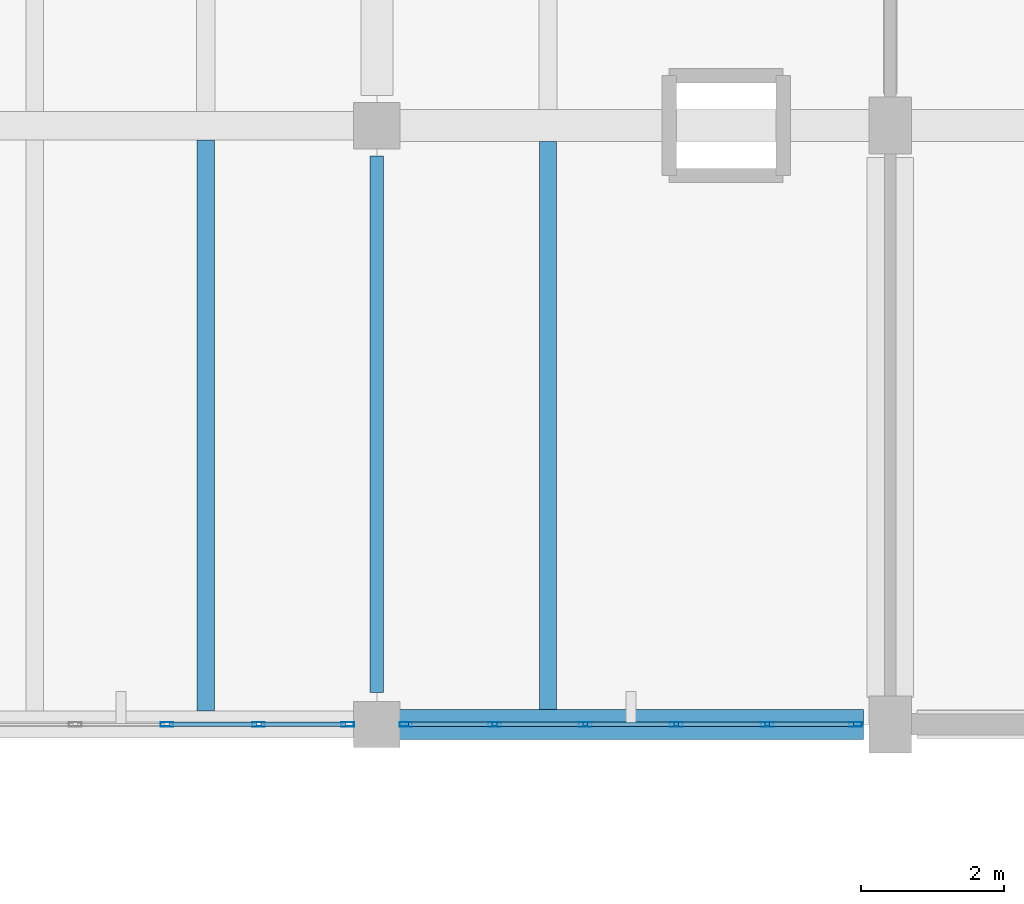
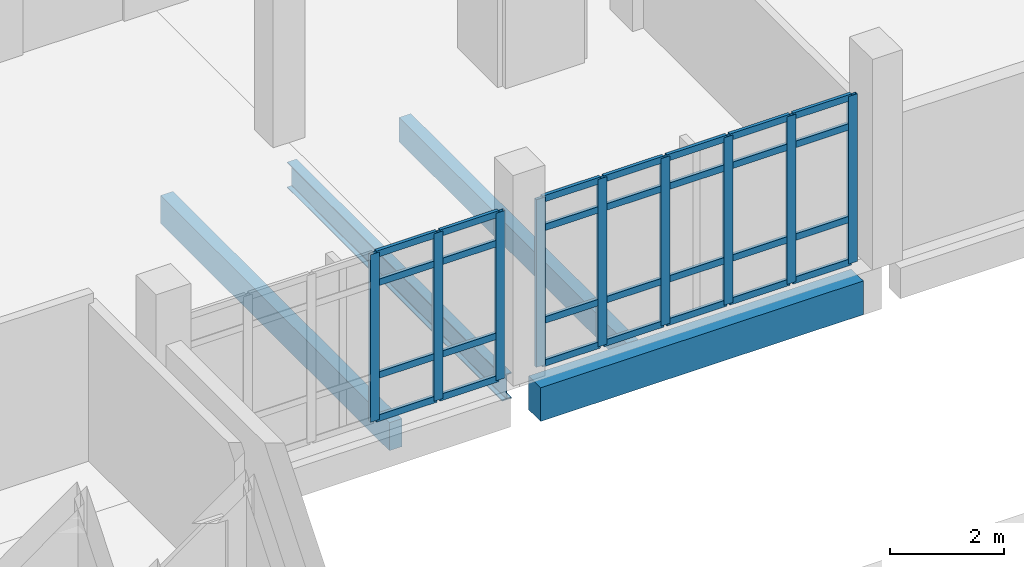
# One storey, part 42 of 87: 37 members, 4 beams, 2 elements without a shape of their own.
"""IFC4 building model written with IfcOpenShell, lengths in metres."""

import ifcopenshell
import ifcopenshell.guid

model = None  # the IFC model being written
_history = None  # IfcOwnerHistory: only IFC2X3 demands one
_inside = {}  # id of a spatial element -> (the spatial element, [elements in it])
_under = {}  # id of a project, library or spatial element -> (it, [spatial elements below it])
_declared = {}  # id of a project -> (the project, [libraries it declares])
_typed = {}  # id of a type object -> (the type object, [elements of that type])
_made_of = {}  # id of a material, layer set ... -> (it, [elements and type objects made of it])


def new_model(schema):
    """Start an empty IFC model of exactly this schema.

    Asked for "IFC4X3", IfcOpenShell would pick the latest addendum, in which some entities
    have other attributes; the version numbers below select the first issue.
    IFC2X3 requires an IfcOwnerHistory on every rooted entity: one is made here for all.
    """
    global model, _history
    if schema == "IFC4X3":
        model = ifcopenshell.file(schema_version=(4, 3, 0, 0))
    else:
        model = ifcopenshell.file(schema=schema)
    _inside.clear()
    _under.clear()
    _declared.clear()
    _typed.clear()
    _made_of.clear()
    _history = None
    if model.schema == "IFC2X3":
        org = make("IfcOrganization", Name="unknown")
        user = make(
            "IfcPersonAndOrganization",
            ThePerson=make("IfcPerson", FamilyName="unknown"),
            TheOrganization=org,
        )
        app = make(
            "IfcApplication",
            ApplicationDeveloper=org,
            Version="unknown",
            ApplicationFullName="unknown",
            ApplicationIdentifier="unknown",
        )
        _history = make(
            "IfcOwnerHistory",
            OwningUser=user,
            OwningApplication=app,
            ChangeAction="ADDED",
            CreationDate=0,
        )
    return model


def make(cls, **values):
    """One entity of the class cls with the attributes given. An attribute that is None is left unset."""
    return model.create_entity(
        cls, **{name: value for name, value in values.items() if value is not None}
    )


def rooted(cls, **values):
    """An entity with a GlobalId (a new one), such as an element, a storey or a relation."""
    return make(cls, GlobalId=ifcopenshell.guid.new(), OwnerHistory=_history, **values)


def si_unit(unit_type, name, prefix=None):
    """IfcSIUnit, for example si_unit("LENGTHUNIT", "METRE", prefix="MILLI")."""
    return make("IfcSIUnit", UnitType=unit_type, Prefix=prefix, Name=name)


def assignment(units):
    """IfcUnitAssignment: the units of a project."""
    return None if units is None else make("IfcUnitAssignment", Units=units)


def point(xyz):
    """IfcCartesianPoint."""
    return None if xyz is None else make("IfcCartesianPoint", Coordinates=xyz)


def direction(xyz):
    """IfcDirection."""
    return None if xyz is None else make("IfcDirection", DirectionRatios=xyz)


def frame(location, z_axis=None, x_axis=None):
    """IfcAxis2Placement3D, a coordinate frame: its origin and axes. An axis left out is left unset."""
    return make(
        "IfcAxis2Placement3D",
        Location=point(location),
        Axis=direction(z_axis),
        RefDirection=direction(x_axis),
    )


def frame_2d(location, x_axis=None):
    """IfcAxis2Placement2D, a coordinate frame in the plane: its origin and x axis."""
    return make(
        "IfcAxis2Placement2D", Location=point(location), RefDirection=direction(x_axis)
    )


def origin():
    """The frame at (0, 0, 0) with its axes left unset."""
    return frame((0.0, 0.0, 0.0))


def origin_2d():
    """The frame at (0, 0) in the plane with its x axis left unset."""
    return frame_2d((0.0, 0.0))


def place(relative_to, where):
    """IfcLocalPlacement: puts the frame where relative to a parent placement (None: the world)."""
    return make(
        "IfcLocalPlacement", PlacementRelTo=relative_to, RelativePlacement=where
    )


def context(
    kind, dimensions, precision=None, world=None, true_north=None, identifier=None
):
    """IfcGeometricRepresentationContext, for example the 3D "Model" context."""
    return make(
        "IfcGeometricRepresentationContext",
        ContextIdentifier=identifier,
        ContextType=kind,
        CoordinateSpaceDimension=dimensions,
        Precision=precision,
        WorldCoordinateSystem=world,
        TrueNorth=true_north,
    )


def subcontext(parent, identifier, kind, view, scale=None):
    """IfcGeometricRepresentationSubContext, for example "Body" below "Model"."""
    return make(
        "IfcGeometricRepresentationSubContext",
        ContextIdentifier=identifier,
        ContextType=kind,
        ParentContext=parent,
        TargetScale=scale,
        TargetView=view,
    )


def project(units=None, contexts=None):
    """IfcProject with its units and contexts."""
    return rooted(
        "IfcProject",
        Name="project",
        RepresentationContexts=contexts,
        UnitsInContext=assignment(units),
    )


def spatial(cls, under=None, at=None, **own):
    """A site, building, storey or space (cls), placed at a placement, below another one or the project."""
    s = rooted(cls, ObjectPlacement=at, **own)
    if under is not None:
        _under.setdefault(under.id(), (under, []))[1].append(s)
    return s


def profile(cls, at=None, kind="AREA", **sizes):
    """A parametric profile (cls). Its sizes go by their IFC names, for example OverallWidth=200.0."""
    return make(cls, ProfileType=kind, Position=at, **sizes)


def rectangle(**sizes):
    """IfcRectangleProfileDef."""
    return profile("IfcRectangleProfileDef", **sizes)


def hollow_rectangle(**sizes):
    """IfcRectangleHollowProfileDef."""
    return profile("IfcRectangleHollowProfileDef", **sizes)


def i_section(**sizes):
    """IfcIShapeProfileDef."""
    return profile("IfcIShapeProfileDef", **sizes)


def extrude(swept, where, along, depth):
    """IfcExtrudedAreaSolid: the profile swept, set in the frame where, extruded along a direction by depth."""
    return make(
        "IfcExtrudedAreaSolid",
        SweptArea=swept,
        Position=where,
        ExtrudedDirection=direction(along),
        Depth=depth,
    )


def shape(context_of_items, identifier, shape_type, items):
    """IfcShapeRepresentation: the items that make up one representation, for example the "Body"."""
    return make(
        "IfcShapeRepresentation",
        ContextOfItems=context_of_items,
        RepresentationIdentifier=identifier,
        RepresentationType=shape_type,
        Items=items,
    )


def material(Name=None, Category=None):
    """IfcMaterial."""
    return make("IfcMaterial", Name=Name, Category=Category)


def material_profile(
    of_material, cross_section, Name=None, Category=None, Priority=None
):
    """IfcMaterialProfile: a cross section and its material."""
    return make(
        "IfcMaterialProfile",
        Name=Name,
        Material=of_material,
        Profile=cross_section,
        Priority=Priority,
        Category=Category,
    )


def profile_set(profiles, Name=None, composite=None):
    """IfcMaterialProfileSet."""
    return make(
        "IfcMaterialProfileSet",
        Name=Name,
        MaterialProfiles=profiles,
        CompositeProfile=composite,
    )


def made_of(thing, what):
    """Note that an element or type object is made of a material, layer set ...; save() writes the relation."""
    if what is not None:
        _made_of.setdefault(what.id(), (what, []))[1].append(thing)
    return thing


def type_object(cls, material=None, **own):
    """A type object (cls), such as IfcWallType, which elements share."""
    return made_of(rooted(cls, **own), material)


def element(
    cls,
    number,
    at=None,
    inside=None,
    cuts=None,
    type_object=None,
    material=None,
    context=None,
    identifier="Body",
    shape_type=None,
    held_by="IfcProductDefinitionShape",
    body=None,
    shapes=None,
    **own,
):
    """One element of the class cls, such as IfcWall. Its Tag is "e" and its number.

    at: its placement. inside: the storey or other place that contains it. cuts: it is an
    opening in that element (IfcRelVoidsElement). A single representation is given by context,
    identifier, shape_type and body (its items); several are given by shapes. held_by: the class
    of the entity that holds the representations. save() writes the other relations.
    """
    e = rooted(cls, Tag="e%d" % number, ObjectPlacement=at, **own)
    if body is not None:
        shapes = [shape(context, identifier, shape_type, body)]
    if shapes is not None:
        e.Representation = make(held_by, Representations=shapes)
    if inside is not None:
        _inside.setdefault(inside.id(), (inside, []))[1].append(e)
    if cuts is not None:
        rooted(
            "IfcRelVoidsElement", RelatingBuildingElement=cuts, RelatedOpeningElement=e
        )
    if type_object is not None:
        _typed.setdefault(type_object.id(), (type_object, []))[1].append(e)
    return made_of(e, material)


def aggregate(whole, parts):
    """IfcRelAggregates: a whole, such as a stair, and the parts it consists of."""
    return rooted("IfcRelAggregates", RelatingObject=whole, RelatedObjects=parts)


def save(model, path):
    """Write the relations noted so far, then the file.

    IfcRelAggregates (storeys below a building ...), IfcRelContainedInSpatialStructure (elements
    in a storey), IfcRelDefinesByType, IfcRelAssociatesMaterial and IfcRelDeclares: one each for
    every whole, place, type object, material and project.
    """
    for whole, parts in _under.values():
        aggregate(whole, parts)
    for where, things in _inside.values():
        rooted(
            "IfcRelContainedInSpatialStructure",
            RelatedElements=things,
            RelatingStructure=where,
        )
    for kind, things in _typed.values():
        rooted("IfcRelDefinesByType", RelatedObjects=things, RelatingType=kind)
    for what, things in _made_of.values():
        rooted("IfcRelAssociatesMaterial", RelatedObjects=things, RelatingMaterial=what)
    for by, libraries in _declared.values():
        rooted("IfcRelDeclares", RelatingContext=by, RelatedDefinitions=libraries)
    model.write(path)


model = new_model("IFC4")

# Units and contexts
model_context = context("Model", 3, precision=1e-05, world=origin(), true_north=direction((0.0, 1.0)))
body_context = subcontext(model_context, "Body", "Model", "MODEL_VIEW")
ifc_project = project(units=[si_unit("LENGTHUNIT", "METRE"), si_unit("AREAUNIT", "SQUARE_METRE"), si_unit("VOLUMEUNIT", "CUBIC_METRE"), si_unit("PLANEANGLEUNIT", "RADIAN"), si_unit("MASSUNIT", "GRAM", prefix="KILO")], contexts=[model_context])

# Site, building, storey
site_placement = place(None, origin())
site = spatial("IfcSite", under=ifc_project, at=site_placement, CompositionType="ELEMENT")
building_placement = place(site_placement, origin())
building = spatial("IfcBuilding", under=site, at=building_placement, Name="Kalluvel Institute of Natural Sciences", CompositionType="ELEMENT")
storey_placement = place(building_placement, frame((0.0, 0.0, 18.89990234375)))
storey = spatial("IfcBuildingStorey", under=building, at=storey_placement, Name="L04", CompositionType="ELEMENT", Elevation=18.89990234375)

# Beams
ifc_material_1 = material(Name="Steel E350 Grade 350", Category="steel")
ifc_material_profile_1 = material_profile(ifc_material_1, i_section(OverallWidth=0.18994140625, OverallDepth=0.550048828125, WebThickness=0.01123046875, FlangeThickness=0.019287109375, FilletRadius=0.01806640625, at=origin_2d()), Name="ISMB 550")
ifc_profile_set_1 = profile_set([ifc_material_profile_1], Name="Steel E350 Grade 350")
beam_type_1 = type_object("IfcBeamType", Name="BM-ISMB550", PredefinedType="BEAM", material=ifc_profile_set_1)
beam_1_placement = place(storey_placement, frame((64.39990234375, 103.25, -0.594970703125), z_axis=(0.0, 1.0, 0.0), x_axis=(-1.0, 0.0, 0.0)))
element("IfcBeam", 1, at=beam_1_placement, inside=storey, type_object=beam_type_1, Name="L04 girder GIR-L04-NS-X644-Y1028", PredefinedType="BEAM", context=body_context, shape_type="SweptSolid", body=[
    extrude(i_section(OverallWidth=0.18994140625, OverallDepth=0.550048828125, WebThickness=0.01123046875, FlangeThickness=0.019287109375, FilletRadius=0.01806640625, at=origin_2d()), origin(), (0.0, 0.0, 1.0), 7.52490234375),
])
ifc_material_2 = material(Name="Concrete M40", Category="concrete")
ifc_material_profile_2 = material_profile(ifc_material_2, rectangle(XDim=0.419921875, YDim=0.719970703125, at=origin_2d()), Name="RCB 420x720")
ifc_profile_set_2 = profile_set([ifc_material_profile_2], Name="Concrete M40")
beam_type_2 = type_object("IfcBeamType", Name="BM-RC420x720", PredefinedType="BEAM", material=ifc_profile_set_2)
beam_2_placement = place(storey_placement, frame((64.699951171875, 102.800048828125, -0.679931640625), z_axis=(1.0, 0.0, 0.0), x_axis=(0.0, 1.0, 0.0)))
element("IfcBeam", 2, at=beam_2_placement, inside=storey, type_object=beam_type_2, Name="L04 girder GIR-L04-EW-X644-Y1028", PredefinedType="BEAM", context=body_context, shape_type="SweptSolid", body=[
    extrude(rectangle(XDim=0.419921875, YDim=0.719970703125, at=origin_2d()), origin(), (0.0, 0.0, 1.0), 6.525146484375),
])

# Curtain wall, members
ifc_material_3 = material(Name="Aluminium AW-6063 T6", Category="aluminium")
curtain_wall_type = type_object("IfcCurtainWallType", Name="CW-WET-45", PredefinedType="USERDEFINED", material=ifc_material_3)
curtain_wall_1_placement = place(storey_placement, origin())
curtain_wall_1 = element("IfcCurtainWall", 3, at=curtain_wall_1_placement, inside=storey, type_object=curtain_wall_type, Name="L04 Gothic lancet curtain wall CWA-L04-X576-Y1028", ObjectType="UNITISED LANCET FACADE", PredefinedType="USERDEFINED")
ifc_material_profile_3 = material_profile(ifc_material_3, hollow_rectangle(XDim=0.06494140625, YDim=0.179931640625, WallThickness=0.00439453125, at=origin_2d()), Name="CWM 65x180")
ifc_profile_set_3 = profile_set([ifc_material_profile_3], Name="Aluminium AW-6063 T6")
member_type_1 = type_object("IfcMemberType", Name="CWM-65x180", PredefinedType="MULLION", material=ifc_profile_set_3)
member_1_placement = place(storey_placement, frame((61.455078125, 102.800048828125, 0.0), z_axis=(0.0, 0.0, 1.0), x_axis=(0.0, 1.0, 0.0)))
member_1 = element("IfcMember", 4, at=member_1_placement, type_object=member_type_1, Name="CW-01 mullion 4", PredefinedType="MULLION", context=body_context, shape_type="SweptSolid", body=[
    extrude(hollow_rectangle(XDim=0.06494140625, YDim=0.179931640625, WallThickness=0.00439453125, at=origin_2d()), origin(), (0.0, 0.0, 1.0), 3.580078125),
])
member_2_placement = place(storey_placement, frame((62.739990234375, 102.800048828125, 0.0), z_axis=(0.0, 0.0, 1.0), x_axis=(0.0, 1.0, 0.0)))
member_2 = element("IfcMember", 5, at=member_2_placement, type_object=member_type_1, Name="CW-01 mullion 5", PredefinedType="MULLION", context=body_context, shape_type="SweptSolid", body=[
    extrude(hollow_rectangle(XDim=0.06494140625, YDim=0.179931640625, WallThickness=0.00439453125, at=origin_2d()), origin(), (0.0, 0.0, 1.0), 3.580078125),
])
member_3_placement = place(storey_placement, frame((63.992431640625, 102.800048828125, 0.0), z_axis=(0.0, 0.0, 1.0), x_axis=(0.0, 1.0, 0.0)))
member_3 = element("IfcMember", 6, at=member_3_placement, type_object=member_type_1, Name="CW-01 mullion 6", PredefinedType="MULLION", context=body_context, shape_type="SweptSolid", body=[
    extrude(hollow_rectangle(XDim=0.06494140625, YDim=0.179931640625, WallThickness=0.00439453125, at=origin_2d()), origin(), (0.0, 0.0, 1.0), 3.580078125),
])

curtain_wall_2_placement = place(storey_placement, origin())
curtain_wall_2 = element("IfcCurtainWall", 7, at=curtain_wall_2_placement, inside=storey, type_object=curtain_wall_type, Name="L04 Gothic lancet curtain wall CWA-L04-X648-Y1028", ObjectType="UNITISED LANCET FACADE", PredefinedType="USERDEFINED")
member_4_placement = place(storey_placement, frame((64.8076171875, 102.800048828125, 0.0), z_axis=(0.0, 0.0, 1.0), x_axis=(0.0, 1.0, 0.0)))
member_4 = element("IfcMember", 8, at=member_4_placement, type_object=member_type_1, Name="CW-01 mullion 1", PredefinedType="MULLION", context=body_context, shape_type="SweptSolid", body=[
    extrude(hollow_rectangle(XDim=0.06494140625, YDim=0.179931640625, WallThickness=0.00439453125, at=origin_2d()), origin(), (0.0, 0.0, 1.0), 3.580078125),
])
member_5_placement = place(storey_placement, frame((66.050048828125, 102.800048828125, 0.0), z_axis=(0.0, 0.0, 1.0), x_axis=(0.0, 1.0, 0.0)))
member_5 = element("IfcMember", 9, at=member_5_placement, type_object=member_type_1, Name="CW-01 mullion 2", PredefinedType="MULLION", context=body_context, shape_type="SweptSolid", body=[
    extrude(hollow_rectangle(XDim=0.06494140625, YDim=0.179931640625, WallThickness=0.00439453125, at=origin_2d()), origin(), (0.0, 0.0, 1.0), 3.580078125),
])
member_6_placement = place(storey_placement, frame((67.324951171875, 102.800048828125, 0.0), z_axis=(0.0, 0.0, 1.0), x_axis=(0.0, 1.0, 0.0)))
member_6 = element("IfcMember", 10, at=member_6_placement, type_object=member_type_1, Name="CW-01 mullion 3", PredefinedType="MULLION", context=body_context, shape_type="SweptSolid", body=[
    extrude(hollow_rectangle(XDim=0.06494140625, YDim=0.179931640625, WallThickness=0.00439453125, at=origin_2d()), origin(), (0.0, 0.0, 1.0), 3.580078125),
])
member_7_placement = place(storey_placement, frame((68.60009765625, 102.800048828125, 0.0), z_axis=(0.0, 0.0, 1.0), x_axis=(0.0, 1.0, 0.0)))
member_7 = element("IfcMember", 11, at=member_7_placement, type_object=member_type_1, Name="CW-01 mullion 4", PredefinedType="MULLION", context=body_context, shape_type="SweptSolid", body=[
    extrude(hollow_rectangle(XDim=0.06494140625, YDim=0.179931640625, WallThickness=0.00439453125, at=origin_2d()), origin(), (0.0, 0.0, 1.0), 3.580078125),
])
member_8_placement = place(storey_placement, frame((69.875, 102.800048828125, 0.0), z_axis=(0.0, 0.0, 1.0), x_axis=(0.0, 1.0, 0.0)))
member_8 = element("IfcMember", 12, at=member_8_placement, type_object=member_type_1, Name="CW-01 mullion 5", PredefinedType="MULLION", context=body_context, shape_type="SweptSolid", body=[
    extrude(hollow_rectangle(XDim=0.06494140625, YDim=0.179931640625, WallThickness=0.00439453125, at=origin_2d()), origin(), (0.0, 0.0, 1.0), 3.580078125),
])
member_9_placement = place(storey_placement, frame((71.117431640625, 102.800048828125, 0.0), z_axis=(0.0, 0.0, 1.0), x_axis=(0.0, 1.0, 0.0)))
member_9 = element("IfcMember", 13, at=member_9_placement, type_object=member_type_1, Name="CW-01 mullion 6", PredefinedType="MULLION", context=body_context, shape_type="SweptSolid", body=[
    extrude(hollow_rectangle(XDim=0.06494140625, YDim=0.179931640625, WallThickness=0.00439453125, at=origin_2d()), origin(), (0.0, 0.0, 1.0), 3.580078125),
])

# Member
ifc_material_profile_4 = material_profile(ifc_material_3, hollow_rectangle(XDim=0.06494140625, YDim=0.139892578125, WallThickness=0.00439453125, at=origin_2d()), Name="CWT 65x140")
ifc_profile_set_4 = profile_set([ifc_material_profile_4], Name="Aluminium AW-6063 T6")
member_type_2 = type_object("IfcMemberType", Name="CWT-65x140", PredefinedType="USERDEFINED", material=ifc_profile_set_4)
member_10_placement = place(storey_placement, frame((61.487548828125, 102.800048828125, 0.03271484375), z_axis=(1.0, 0.0, 0.0), x_axis=(0.0, 1.0, 0.0)))
member_10 = element("IfcMember", 14, at=member_10_placement, type_object=member_type_2, Name="CW-01 transom 4.1", ObjectType="TRANSOM", PredefinedType="USERDEFINED", context=body_context, shape_type="SweptSolid", body=[
    extrude(hollow_rectangle(XDim=0.06494140625, YDim=0.139892578125, WallThickness=0.00439453125, at=origin_2d()), origin(), (0.0, 0.0, 1.0), 1.219970703125),
])

member_11_placement = place(storey_placement, frame((61.487548828125, 102.800048828125, 0.9501953125), z_axis=(1.0, 0.0, 0.0), x_axis=(0.0, 1.0, 0.0)))
member_11 = element("IfcMember", 15, at=member_11_placement, type_object=member_type_2, Name="CW-01 transom 4.2", ObjectType="TRANSOM", PredefinedType="USERDEFINED", context=body_context, shape_type="SweptSolid", body=[
    extrude(hollow_rectangle(XDim=0.06494140625, YDim=0.139892578125, WallThickness=0.00439453125, at=origin_2d()), origin(), (0.0, 0.0, 1.0), 1.219970703125),
])

member_12_placement = place(storey_placement, frame((61.487548828125, 102.800048828125, 2.93017578125), z_axis=(1.0, 0.0, 0.0), x_axis=(0.0, 1.0, 0.0)))
member_12 = element("IfcMember", 16, at=member_12_placement, type_object=member_type_2, Name="CW-01 transom 4.3", ObjectType="TRANSOM", PredefinedType="USERDEFINED", context=body_context, shape_type="SweptSolid", body=[
    extrude(hollow_rectangle(XDim=0.06494140625, YDim=0.139892578125, WallThickness=0.00439453125, at=origin_2d()), origin(), (0.0, 0.0, 1.0), 1.219970703125),
])

member_13_placement = place(storey_placement, frame((61.487548828125, 102.800048828125, 3.547607421875), z_axis=(1.0, 0.0, 0.0), x_axis=(0.0, 1.0, 0.0)))
member_13 = element("IfcMember", 17, at=member_13_placement, type_object=member_type_2, Name="CW-01 transom 4.4", ObjectType="TRANSOM", PredefinedType="USERDEFINED", context=body_context, shape_type="SweptSolid", body=[
    extrude(hollow_rectangle(XDim=0.06494140625, YDim=0.139892578125, WallThickness=0.00439453125, at=origin_2d()), origin(), (0.0, 0.0, 1.0), 1.219970703125),
])

member_14_placement = place(storey_placement, frame((62.7724609375, 102.800048828125, 0.03271484375), z_axis=(1.0, 0.0, 0.0), x_axis=(0.0, 1.0, 0.0)))
member_14 = element("IfcMember", 18, at=member_14_placement, type_object=member_type_2, Name="CW-01 transom 5.1", ObjectType="TRANSOM", PredefinedType="USERDEFINED", context=body_context, shape_type="SweptSolid", body=[
    extrude(hollow_rectangle(XDim=0.06494140625, YDim=0.139892578125, WallThickness=0.00439453125, at=origin_2d()), origin(), (0.0, 0.0, 1.0), 1.1875),
])

member_15_placement = place(storey_placement, frame((62.7724609375, 102.800048828125, 0.9501953125), z_axis=(1.0, 0.0, 0.0), x_axis=(0.0, 1.0, 0.0)))
member_15 = element("IfcMember", 19, at=member_15_placement, type_object=member_type_2, Name="CW-01 transom 5.2", ObjectType="TRANSOM", PredefinedType="USERDEFINED", context=body_context, shape_type="SweptSolid", body=[
    extrude(hollow_rectangle(XDim=0.06494140625, YDim=0.139892578125, WallThickness=0.00439453125, at=origin_2d()), origin(), (0.0, 0.0, 1.0), 1.1875),
])

member_16_placement = place(storey_placement, frame((62.7724609375, 102.800048828125, 2.93017578125), z_axis=(1.0, 0.0, 0.0), x_axis=(0.0, 1.0, 0.0)))
member_16 = element("IfcMember", 20, at=member_16_placement, type_object=member_type_2, Name="CW-01 transom 5.3", ObjectType="TRANSOM", PredefinedType="USERDEFINED", context=body_context, shape_type="SweptSolid", body=[
    extrude(hollow_rectangle(XDim=0.06494140625, YDim=0.139892578125, WallThickness=0.00439453125, at=origin_2d()), origin(), (0.0, 0.0, 1.0), 1.1875),
])

member_17_placement = place(storey_placement, frame((62.7724609375, 102.800048828125, 3.547607421875), z_axis=(1.0, 0.0, 0.0), x_axis=(0.0, 1.0, 0.0)))
member_17 = element("IfcMember", 21, at=member_17_placement, type_object=member_type_2, Name="CW-01 transom 5.4", ObjectType="TRANSOM", PredefinedType="USERDEFINED", context=body_context, shape_type="SweptSolid", body=[
    extrude(hollow_rectangle(XDim=0.06494140625, YDim=0.139892578125, WallThickness=0.00439453125, at=origin_2d()), origin(), (0.0, 0.0, 1.0), 1.1875),
])

aggregate(curtain_wall_1, [member_1, member_2, member_3, member_10, member_11, member_12, member_13, member_14, member_15, member_16, member_17])

member_18_placement = place(storey_placement, frame((64.840087890625, 102.800048828125, 0.03271484375), z_axis=(1.0, 0.0, 0.0), x_axis=(0.0, 1.0, 0.0)))
member_18 = element("IfcMember", 22, at=member_18_placement, type_object=member_type_2, Name="CW-01 transom 1.1", ObjectType="TRANSOM", PredefinedType="USERDEFINED", context=body_context, shape_type="SweptSolid", body=[
    extrude(hollow_rectangle(XDim=0.06494140625, YDim=0.139892578125, WallThickness=0.00439453125, at=origin_2d()), origin(), (0.0, 0.0, 1.0), 1.177490234375),
])

member_19_placement = place(storey_placement, frame((64.840087890625, 102.800048828125, 0.9501953125), z_axis=(1.0, 0.0, 0.0), x_axis=(0.0, 1.0, 0.0)))
member_19 = element("IfcMember", 23, at=member_19_placement, type_object=member_type_2, Name="CW-01 transom 1.2", ObjectType="TRANSOM", PredefinedType="USERDEFINED", context=body_context, shape_type="SweptSolid", body=[
    extrude(hollow_rectangle(XDim=0.06494140625, YDim=0.139892578125, WallThickness=0.00439453125, at=origin_2d()), origin(), (0.0, 0.0, 1.0), 1.177490234375),
])

member_20_placement = place(storey_placement, frame((64.840087890625, 102.800048828125, 2.93017578125), z_axis=(1.0, 0.0, 0.0), x_axis=(0.0, 1.0, 0.0)))
member_20 = element("IfcMember", 24, at=member_20_placement, type_object=member_type_2, Name="CW-01 transom 1.3", ObjectType="TRANSOM", PredefinedType="USERDEFINED", context=body_context, shape_type="SweptSolid", body=[
    extrude(hollow_rectangle(XDim=0.06494140625, YDim=0.139892578125, WallThickness=0.00439453125, at=origin_2d()), origin(), (0.0, 0.0, 1.0), 1.177490234375),
])

member_21_placement = place(storey_placement, frame((64.840087890625, 102.800048828125, 3.547607421875), z_axis=(1.0, 0.0, 0.0), x_axis=(0.0, 1.0, 0.0)))
member_21 = element("IfcMember", 25, at=member_21_placement, type_object=member_type_2, Name="CW-01 transom 1.4", ObjectType="TRANSOM", PredefinedType="USERDEFINED", context=body_context, shape_type="SweptSolid", body=[
    extrude(hollow_rectangle(XDim=0.06494140625, YDim=0.139892578125, WallThickness=0.00439453125, at=origin_2d()), origin(), (0.0, 0.0, 1.0), 1.177490234375),
])

member_22_placement = place(storey_placement, frame((66.08251953125, 102.800048828125, 0.03271484375), z_axis=(1.0, 0.0, 0.0), x_axis=(0.0, 1.0, 0.0)))
member_22 = element("IfcMember", 26, at=member_22_placement, type_object=member_type_2, Name="CW-01 transom 2.1", ObjectType="TRANSOM", PredefinedType="USERDEFINED", context=body_context, shape_type="SweptSolid", body=[
    extrude(hollow_rectangle(XDim=0.06494140625, YDim=0.139892578125, WallThickness=0.00439453125, at=origin_2d()), origin(), (0.0, 0.0, 1.0), 1.2099609375),
])

member_23_placement = place(storey_placement, frame((66.08251953125, 102.800048828125, 0.9501953125), z_axis=(1.0, 0.0, 0.0), x_axis=(0.0, 1.0, 0.0)))
member_23 = element("IfcMember", 27, at=member_23_placement, type_object=member_type_2, Name="CW-01 transom 2.2", ObjectType="TRANSOM", PredefinedType="USERDEFINED", context=body_context, shape_type="SweptSolid", body=[
    extrude(hollow_rectangle(XDim=0.06494140625, YDim=0.139892578125, WallThickness=0.00439453125, at=origin_2d()), origin(), (0.0, 0.0, 1.0), 1.2099609375),
])

member_24_placement = place(storey_placement, frame((66.08251953125, 102.800048828125, 2.93017578125), z_axis=(1.0, 0.0, 0.0), x_axis=(0.0, 1.0, 0.0)))
member_24 = element("IfcMember", 28, at=member_24_placement, type_object=member_type_2, Name="CW-01 transom 2.3", ObjectType="TRANSOM", PredefinedType="USERDEFINED", context=body_context, shape_type="SweptSolid", body=[
    extrude(hollow_rectangle(XDim=0.06494140625, YDim=0.139892578125, WallThickness=0.00439453125, at=origin_2d()), origin(), (0.0, 0.0, 1.0), 1.2099609375),
])

member_25_placement = place(storey_placement, frame((66.08251953125, 102.800048828125, 3.547607421875), z_axis=(1.0, 0.0, 0.0), x_axis=(0.0, 1.0, 0.0)))
member_25 = element("IfcMember", 29, at=member_25_placement, type_object=member_type_2, Name="CW-01 transom 2.4", ObjectType="TRANSOM", PredefinedType="USERDEFINED", context=body_context, shape_type="SweptSolid", body=[
    extrude(hollow_rectangle(XDim=0.06494140625, YDim=0.139892578125, WallThickness=0.00439453125, at=origin_2d()), origin(), (0.0, 0.0, 1.0), 1.2099609375),
])

member_26_placement = place(storey_placement, frame((67.357421875, 102.800048828125, 0.03271484375), z_axis=(1.0, 0.0, 0.0), x_axis=(0.0, 1.0, 0.0)))
member_26 = element("IfcMember", 30, at=member_26_placement, type_object=member_type_2, Name="CW-01 transom 3.1", ObjectType="TRANSOM", PredefinedType="USERDEFINED", context=body_context, shape_type="SweptSolid", body=[
    extrude(hollow_rectangle(XDim=0.06494140625, YDim=0.139892578125, WallThickness=0.00439453125, at=origin_2d()), origin(), (0.0, 0.0, 1.0), 1.2099609375),
])

member_27_placement = place(storey_placement, frame((67.357421875, 102.800048828125, 0.9501953125), z_axis=(1.0, 0.0, 0.0), x_axis=(0.0, 1.0, 0.0)))
member_27 = element("IfcMember", 31, at=member_27_placement, type_object=member_type_2, Name="CW-01 transom 3.2", ObjectType="TRANSOM", PredefinedType="USERDEFINED", context=body_context, shape_type="SweptSolid", body=[
    extrude(hollow_rectangle(XDim=0.06494140625, YDim=0.139892578125, WallThickness=0.00439453125, at=origin_2d()), origin(), (0.0, 0.0, 1.0), 1.2099609375),
])

member_28_placement = place(storey_placement, frame((67.357421875, 102.800048828125, 2.93017578125), z_axis=(1.0, 0.0, 0.0), x_axis=(0.0, 1.0, 0.0)))
member_28 = element("IfcMember", 32, at=member_28_placement, type_object=member_type_2, Name="CW-01 transom 3.3", ObjectType="TRANSOM", PredefinedType="USERDEFINED", context=body_context, shape_type="SweptSolid", body=[
    extrude(hollow_rectangle(XDim=0.06494140625, YDim=0.139892578125, WallThickness=0.00439453125, at=origin_2d()), origin(), (0.0, 0.0, 1.0), 1.2099609375),
])

member_29_placement = place(storey_placement, frame((67.357421875, 102.800048828125, 3.547607421875), z_axis=(1.0, 0.0, 0.0), x_axis=(0.0, 1.0, 0.0)))
member_29 = element("IfcMember", 33, at=member_29_placement, type_object=member_type_2, Name="CW-01 transom 3.4", ObjectType="TRANSOM", PredefinedType="USERDEFINED", context=body_context, shape_type="SweptSolid", body=[
    extrude(hollow_rectangle(XDim=0.06494140625, YDim=0.139892578125, WallThickness=0.00439453125, at=origin_2d()), origin(), (0.0, 0.0, 1.0), 1.2099609375),
])

member_30_placement = place(storey_placement, frame((68.632568359375, 102.800048828125, 0.03271484375), z_axis=(1.0, 0.0, 0.0), x_axis=(0.0, 1.0, 0.0)))
member_30 = element("IfcMember", 34, at=member_30_placement, type_object=member_type_2, Name="CW-01 transom 4.1", ObjectType="TRANSOM", PredefinedType="USERDEFINED", context=body_context, shape_type="SweptSolid", body=[
    extrude(hollow_rectangle(XDim=0.06494140625, YDim=0.139892578125, WallThickness=0.00439453125, at=origin_2d()), origin(), (0.0, 0.0, 1.0), 1.2099609375),
])

member_31_placement = place(storey_placement, frame((68.632568359375, 102.800048828125, 0.9501953125), z_axis=(1.0, 0.0, 0.0), x_axis=(0.0, 1.0, 0.0)))
member_31 = element("IfcMember", 35, at=member_31_placement, type_object=member_type_2, Name="CW-01 transom 4.2", ObjectType="TRANSOM", PredefinedType="USERDEFINED", context=body_context, shape_type="SweptSolid", body=[
    extrude(hollow_rectangle(XDim=0.06494140625, YDim=0.139892578125, WallThickness=0.00439453125, at=origin_2d()), origin(), (0.0, 0.0, 1.0), 1.2099609375),
])

member_32_placement = place(storey_placement, frame((68.632568359375, 102.800048828125, 2.93017578125), z_axis=(1.0, 0.0, 0.0), x_axis=(0.0, 1.0, 0.0)))
member_32 = element("IfcMember", 36, at=member_32_placement, type_object=member_type_2, Name="CW-01 transom 4.3", ObjectType="TRANSOM", PredefinedType="USERDEFINED", context=body_context, shape_type="SweptSolid", body=[
    extrude(hollow_rectangle(XDim=0.06494140625, YDim=0.139892578125, WallThickness=0.00439453125, at=origin_2d()), origin(), (0.0, 0.0, 1.0), 1.2099609375),
])

member_33_placement = place(storey_placement, frame((68.632568359375, 102.800048828125, 3.547607421875), z_axis=(1.0, 0.0, 0.0), x_axis=(0.0, 1.0, 0.0)))
member_33 = element("IfcMember", 37, at=member_33_placement, type_object=member_type_2, Name="CW-01 transom 4.4", ObjectType="TRANSOM", PredefinedType="USERDEFINED", context=body_context, shape_type="SweptSolid", body=[
    extrude(hollow_rectangle(XDim=0.06494140625, YDim=0.139892578125, WallThickness=0.00439453125, at=origin_2d()), origin(), (0.0, 0.0, 1.0), 1.2099609375),
])

member_34_placement = place(storey_placement, frame((69.907470703125, 102.800048828125, 0.03271484375), z_axis=(1.0, 0.0, 0.0), x_axis=(0.0, 1.0, 0.0)))
member_34 = element("IfcMember", 38, at=member_34_placement, type_object=member_type_2, Name="CW-01 transom 5.1", ObjectType="TRANSOM", PredefinedType="USERDEFINED", context=body_context, shape_type="SweptSolid", body=[
    extrude(hollow_rectangle(XDim=0.06494140625, YDim=0.139892578125, WallThickness=0.00439453125, at=origin_2d()), origin(), (0.0, 0.0, 1.0), 1.177490234375),
])

member_35_placement = place(storey_placement, frame((69.907470703125, 102.800048828125, 0.9501953125), z_axis=(1.0, 0.0, 0.0), x_axis=(0.0, 1.0, 0.0)))
member_35 = element("IfcMember", 39, at=member_35_placement, type_object=member_type_2, Name="CW-01 transom 5.2", ObjectType="TRANSOM", PredefinedType="USERDEFINED", context=body_context, shape_type="SweptSolid", body=[
    extrude(hollow_rectangle(XDim=0.06494140625, YDim=0.139892578125, WallThickness=0.00439453125, at=origin_2d()), origin(), (0.0, 0.0, 1.0), 1.177490234375),
])

member_36_placement = place(storey_placement, frame((69.907470703125, 102.800048828125, 2.93017578125), z_axis=(1.0, 0.0, 0.0), x_axis=(0.0, 1.0, 0.0)))
member_36 = element("IfcMember", 40, at=member_36_placement, type_object=member_type_2, Name="CW-01 transom 5.3", ObjectType="TRANSOM", PredefinedType="USERDEFINED", context=body_context, shape_type="SweptSolid", body=[
    extrude(hollow_rectangle(XDim=0.06494140625, YDim=0.139892578125, WallThickness=0.00439453125, at=origin_2d()), origin(), (0.0, 0.0, 1.0), 1.177490234375),
])

member_37_placement = place(storey_placement, frame((69.907470703125, 102.800048828125, 3.547607421875), z_axis=(1.0, 0.0, 0.0), x_axis=(0.0, 1.0, 0.0)))
member_37 = element("IfcMember", 41, at=member_37_placement, type_object=member_type_2, Name="CW-01 transom 5.4", ObjectType="TRANSOM", PredefinedType="USERDEFINED", context=body_context, shape_type="SweptSolid", body=[
    extrude(hollow_rectangle(XDim=0.06494140625, YDim=0.139892578125, WallThickness=0.00439453125, at=origin_2d()), origin(), (0.0, 0.0, 1.0), 1.177490234375),
])

aggregate(curtain_wall_2, [member_4, member_5, member_6, member_7, member_8, member_9, member_18, member_19, member_20, member_21, member_22, member_23, member_24, member_25, member_26, member_27, member_28, member_29, member_30, member_31, member_32, member_33, member_34, member_35, member_36, member_37])

# Beams
ifc_material_profile_5 = material_profile(ifc_material_2, rectangle(XDim=0.239990234375, YDim=0.52001953125, at=origin_2d()), Name="WAF 240x520")
ifc_profile_set_5 = profile_set([ifc_material_profile_5], Name="Concrete M40")
beam_type_3 = type_object("IfcBeamType", Name="WJ-240x520", PredefinedType="JOIST", material=ifc_profile_set_5)
beam_3_placement = place(storey_placement, frame((66.800048828125, 103.010009765625, -0.579833984375), z_axis=(0.0, 1.0, 0.0), x_axis=(-1.0, 0.0, 0.0)))
element("IfcBeam", 42, at=beam_3_placement, inside=storey, type_object=beam_type_3, Name="L04 waffle joist RIB-L04-0331", PredefinedType="JOIST", context=body_context, shape_type="SweptSolid", body=[
    extrude(rectangle(XDim=0.239990234375, YDim=0.52001953125, at=origin_2d()), origin(), (0.0, 0.0, 1.0), 7.965087890625),
])
ifc_material_profile_6 = material_profile(ifc_material_2, rectangle(XDim=0.25, YDim=0.60009765625, at=origin_2d()), Name="WAF 250x600")
ifc_profile_set_6 = profile_set([ifc_material_profile_6], Name="Concrete M40")
beam_type_4 = type_object("IfcBeamType", Name="WJ-250x600", PredefinedType="JOIST", material=ifc_profile_set_6)
beam_4_placement = place(storey_placement, frame((62.0, 102.989990234375, -0.619873046875), z_axis=(0.0, 1.0, 0.0), x_axis=(-1.0, 0.0, 0.0)))
element("IfcBeam", 43, at=beam_4_placement, inside=storey, type_object=beam_type_4, Name="L04 waffle joist RIB-L04-0326", PredefinedType="JOIST", context=body_context, shape_type="SweptSolid", body=[
    extrude(rectangle(XDim=0.25, YDim=0.60009765625, at=origin_2d()), origin(), (0.0, 0.0, 1.0), 8.010009765625),
])

save(model, "model.ifc")
